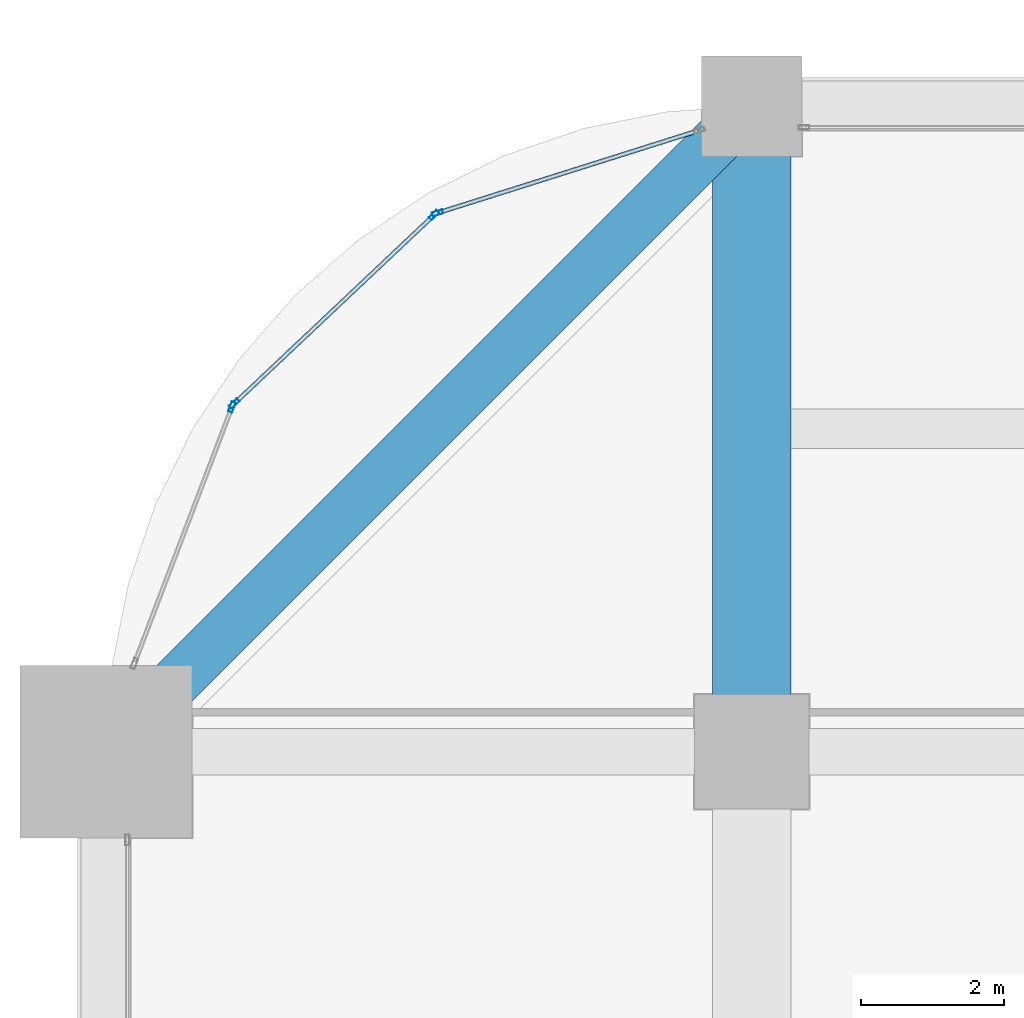
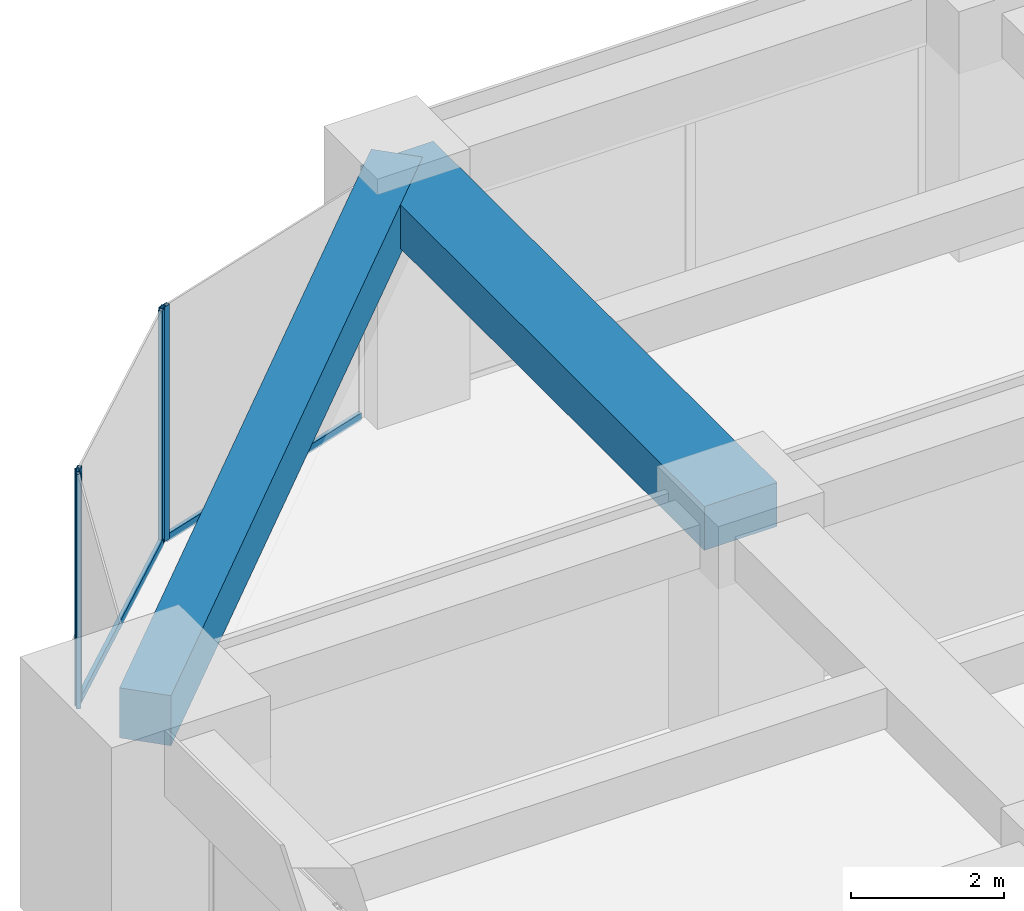
# One storey, part 22 of 33: 6 members, 2 beams, 3 elements without a shape of their own.
"""IFC4 building model written with IfcOpenShell, lengths in metres."""

import ifcopenshell
import ifcopenshell.guid

model = None  # the IFC model being written
_history = None  # IfcOwnerHistory: only IFC2X3 demands one
_inside = {}  # id of a spatial element -> (the spatial element, [elements in it])
_under = {}  # id of a project, library or spatial element -> (it, [spatial elements below it])
_declared = {}  # id of a project -> (the project, [libraries it declares])
_typed = {}  # id of a type object -> (the type object, [elements of that type])
_made_of = {}  # id of a material, layer set ... -> (it, [elements and type objects made of it])


def new_model(schema):
    """Start an empty IFC model of exactly this schema.

    Asked for "IFC4X3", IfcOpenShell would pick the latest addendum, in which some entities
    have other attributes; the version numbers below select the first issue.
    IFC2X3 requires an IfcOwnerHistory on every rooted entity: one is made here for all.
    """
    global model, _history
    if schema == "IFC4X3":
        model = ifcopenshell.file(schema_version=(4, 3, 0, 0))
    else:
        model = ifcopenshell.file(schema=schema)
    _inside.clear()
    _under.clear()
    _declared.clear()
    _typed.clear()
    _made_of.clear()
    _history = None
    if model.schema == "IFC2X3":
        org = make("IfcOrganization", Name="unknown")
        user = make(
            "IfcPersonAndOrganization",
            ThePerson=make("IfcPerson", FamilyName="unknown"),
            TheOrganization=org,
        )
        app = make(
            "IfcApplication",
            ApplicationDeveloper=org,
            Version="unknown",
            ApplicationFullName="unknown",
            ApplicationIdentifier="unknown",
        )
        _history = make(
            "IfcOwnerHistory",
            OwningUser=user,
            OwningApplication=app,
            ChangeAction="ADDED",
            CreationDate=0,
        )
    return model


def make(cls, **values):
    """One entity of the class cls with the attributes given. An attribute that is None is left unset."""
    return model.create_entity(
        cls, **{name: value for name, value in values.items() if value is not None}
    )


def rooted(cls, **values):
    """An entity with a GlobalId (a new one), such as an element, a storey or a relation."""
    return make(cls, GlobalId=ifcopenshell.guid.new(), OwnerHistory=_history, **values)


def si_unit(unit_type, name, prefix=None):
    """IfcSIUnit, for example si_unit("LENGTHUNIT", "METRE", prefix="MILLI")."""
    return make("IfcSIUnit", UnitType=unit_type, Prefix=prefix, Name=name)


def assignment(units):
    """IfcUnitAssignment: the units of a project."""
    return None if units is None else make("IfcUnitAssignment", Units=units)


def point(xyz):
    """IfcCartesianPoint."""
    return None if xyz is None else make("IfcCartesianPoint", Coordinates=xyz)


def direction(xyz):
    """IfcDirection."""
    return None if xyz is None else make("IfcDirection", DirectionRatios=xyz)


def frame(location, z_axis=None, x_axis=None):
    """IfcAxis2Placement3D, a coordinate frame: its origin and axes. An axis left out is left unset."""
    return make(
        "IfcAxis2Placement3D",
        Location=point(location),
        Axis=direction(z_axis),
        RefDirection=direction(x_axis),
    )


def frame_2d(location, x_axis=None):
    """IfcAxis2Placement2D, a coordinate frame in the plane: its origin and x axis."""
    return make(
        "IfcAxis2Placement2D", Location=point(location), RefDirection=direction(x_axis)
    )


def origin():
    """The frame at (0, 0, 0) with its axes left unset."""
    return frame((0.0, 0.0, 0.0))


def origin_2d():
    """The frame at (0, 0) in the plane with its x axis left unset."""
    return frame_2d((0.0, 0.0))


def place(relative_to, where):
    """IfcLocalPlacement: puts the frame where relative to a parent placement (None: the world)."""
    return make(
        "IfcLocalPlacement", PlacementRelTo=relative_to, RelativePlacement=where
    )


def context(
    kind, dimensions, precision=None, world=None, true_north=None, identifier=None
):
    """IfcGeometricRepresentationContext, for example the 3D "Model" context."""
    return make(
        "IfcGeometricRepresentationContext",
        ContextIdentifier=identifier,
        ContextType=kind,
        CoordinateSpaceDimension=dimensions,
        Precision=precision,
        WorldCoordinateSystem=world,
        TrueNorth=true_north,
    )


def subcontext(parent, identifier, kind, view, scale=None):
    """IfcGeometricRepresentationSubContext, for example "Body" below "Model"."""
    return make(
        "IfcGeometricRepresentationSubContext",
        ContextIdentifier=identifier,
        ContextType=kind,
        ParentContext=parent,
        TargetScale=scale,
        TargetView=view,
    )


def project(units=None, contexts=None):
    """IfcProject with its units and contexts."""
    return rooted(
        "IfcProject",
        Name="project",
        RepresentationContexts=contexts,
        UnitsInContext=assignment(units),
    )


def spatial(cls, under=None, at=None, **own):
    """A site, building, storey or space (cls), placed at a placement, below another one or the project."""
    s = rooted(cls, ObjectPlacement=at, **own)
    if under is not None:
        _under.setdefault(under.id(), (under, []))[1].append(s)
    return s


def profile(cls, at=None, kind="AREA", **sizes):
    """A parametric profile (cls). Its sizes go by their IFC names, for example OverallWidth=200.0."""
    return make(cls, ProfileType=kind, Position=at, **sizes)


def rectangle(**sizes):
    """IfcRectangleProfileDef."""
    return profile("IfcRectangleProfileDef", **sizes)


def hollow_rectangle(**sizes):
    """IfcRectangleHollowProfileDef."""
    return profile("IfcRectangleHollowProfileDef", **sizes)


def extrude(swept, where, along, depth):
    """IfcExtrudedAreaSolid: the profile swept, set in the frame where, extruded along a direction by depth."""
    return make(
        "IfcExtrudedAreaSolid",
        SweptArea=swept,
        Position=where,
        ExtrudedDirection=direction(along),
        Depth=depth,
    )


def shape(context_of_items, identifier, shape_type, items):
    """IfcShapeRepresentation: the items that make up one representation, for example the "Body"."""
    return make(
        "IfcShapeRepresentation",
        ContextOfItems=context_of_items,
        RepresentationIdentifier=identifier,
        RepresentationType=shape_type,
        Items=items,
    )


def material(Name=None, Category=None):
    """IfcMaterial."""
    return make("IfcMaterial", Name=Name, Category=Category)


def material_profile(
    of_material, cross_section, Name=None, Category=None, Priority=None
):
    """IfcMaterialProfile: a cross section and its material."""
    return make(
        "IfcMaterialProfile",
        Name=Name,
        Material=of_material,
        Profile=cross_section,
        Priority=Priority,
        Category=Category,
    )


def profile_set(profiles, Name=None, composite=None):
    """IfcMaterialProfileSet."""
    return make(
        "IfcMaterialProfileSet",
        Name=Name,
        MaterialProfiles=profiles,
        CompositeProfile=composite,
    )


def made_of(thing, what):
    """Note that an element or type object is made of a material, layer set ...; save() writes the relation."""
    if what is not None:
        _made_of.setdefault(what.id(), (what, []))[1].append(thing)
    return thing


def type_object(cls, material=None, **own):
    """A type object (cls), such as IfcWallType, which elements share."""
    return made_of(rooted(cls, **own), material)


def element(
    cls,
    number,
    at=None,
    inside=None,
    cuts=None,
    type_object=None,
    material=None,
    context=None,
    identifier="Body",
    shape_type=None,
    held_by="IfcProductDefinitionShape",
    body=None,
    shapes=None,
    **own,
):
    """One element of the class cls, such as IfcWall. Its Tag is "e" and its number.

    at: its placement. inside: the storey or other place that contains it. cuts: it is an
    opening in that element (IfcRelVoidsElement). A single representation is given by context,
    identifier, shape_type and body (its items); several are given by shapes. held_by: the class
    of the entity that holds the representations. save() writes the other relations.
    """
    e = rooted(cls, Tag="e%d" % number, ObjectPlacement=at, **own)
    if body is not None:
        shapes = [shape(context, identifier, shape_type, body)]
    if shapes is not None:
        e.Representation = make(held_by, Representations=shapes)
    if inside is not None:
        _inside.setdefault(inside.id(), (inside, []))[1].append(e)
    if cuts is not None:
        rooted(
            "IfcRelVoidsElement", RelatingBuildingElement=cuts, RelatedOpeningElement=e
        )
    if type_object is not None:
        _typed.setdefault(type_object.id(), (type_object, []))[1].append(e)
    return made_of(e, material)


def aggregate(whole, parts):
    """IfcRelAggregates: a whole, such as a stair, and the parts it consists of."""
    return rooted("IfcRelAggregates", RelatingObject=whole, RelatedObjects=parts)


def save(model, path):
    """Write the relations noted so far, then the file.

    IfcRelAggregates (storeys below a building ...), IfcRelContainedInSpatialStructure (elements
    in a storey), IfcRelDefinesByType, IfcRelAssociatesMaterial and IfcRelDeclares: one each for
    every whole, place, type object, material and project.
    """
    for whole, parts in _under.values():
        aggregate(whole, parts)
    for where, things in _inside.values():
        rooted(
            "IfcRelContainedInSpatialStructure",
            RelatedElements=things,
            RelatingStructure=where,
        )
    for kind, things in _typed.values():
        rooted("IfcRelDefinesByType", RelatedObjects=things, RelatingType=kind)
    for what, things in _made_of.values():
        rooted("IfcRelAssociatesMaterial", RelatedObjects=things, RelatingMaterial=what)
    for by, libraries in _declared.values():
        rooted("IfcRelDeclares", RelatingContext=by, RelatedDefinitions=libraries)
    model.write(path)


model = new_model("IFC4")

# Units and contexts
model_context = context("Model", 3, precision=1e-05, world=origin(), true_north=direction((0.0, 1.0)))
body_context = subcontext(model_context, "Body", "Model", "MODEL_VIEW")
ifc_project = project(units=[si_unit("LENGTHUNIT", "METRE"), si_unit("AREAUNIT", "SQUARE_METRE"), si_unit("VOLUMEUNIT", "CUBIC_METRE"), si_unit("PLANEANGLEUNIT", "RADIAN"), si_unit("MASSUNIT", "GRAM", prefix="KILO")], contexts=[model_context])

# Site, building, storey
site_placement = place(None, origin())
site = spatial("IfcSite", under=ifc_project, at=site_placement, CompositionType="ELEMENT")
building_placement = place(site_placement, origin())
building = spatial("IfcBuilding", under=site, at=building_placement, Name="Zorevar Civic Tower", CompositionType="ELEMENT")
storey_placement = place(building_placement, frame((0.0, 0.0, 178.199951171875)))
storey = spatial("IfcBuildingStorey", under=building, at=storey_placement, Name="L43", CompositionType="ELEMENT", Elevation=178.199951171875)

# Beam
ifc_material_1 = material(Name="Concrete C50/60", Category="concrete")
ifc_material_profile_1 = material_profile(ifc_material_1, rectangle(XDim=1.10009765625, YDim=0.699951171875, at=origin_2d()), Name="RC 1100x700")
ifc_profile_set_1 = profile_set([ifc_material_profile_1], Name="Concrete C50/60")
beam_type_1 = type_object("IfcBeamType", Name="Beam RC 1100x700", PredefinedType="BEAM", material=ifc_profile_set_1)
beam_1_placement = place(storey_placement, frame((9.0, 36.0, 3.400146484375), z_axis=(0.0, 1.0, 0.0), x_axis=(-1.0, 0.0, 0.0)))
element("IfcBeam", 1, at=beam_1_placement, inside=storey, type_object=beam_type_1, Name="Girder L44", PredefinedType="BEAM", context=body_context, shape_type="SweptSolid", body=[
    extrude(rectangle(XDim=1.10009765625, YDim=0.699951171875, at=origin_2d()), origin(), (0.0, 0.0, 1.0), 9.0),
])

# Curtain wall, member
ifc_material_2 = material(Name="Dark grey solar-control glass in black aluminium frame", Category="aluminium")
curtain_wall_type = type_object("IfcCurtainWallType", Name="Curtain wall CW4 high zone", PredefinedType="NOTDEFINED", material=ifc_material_2)
curtain_wall_1_placement = place(storey_placement, origin())
curtain_wall_1 = element("IfcCurtainWall", 2, at=curtain_wall_1_placement, inside=storey, type_object=curtain_wall_type, Name="CW4 L43", PredefinedType="NOTDEFINED")
ifc_material_3 = material(Name="Aluminium, black anodised", Category="aluminium")
ifc_material_profile_2 = material_profile(ifc_material_3, hollow_rectangle(XDim=0.06005859375, YDim=0.14990234375, WallThickness=0.00390625, at=origin_2d()), Name="AL 150x60x4")
ifc_profile_set_2 = profile_set([ifc_material_profile_2], Name="Aluminium, black anodised")
member_type_1 = type_object("IfcMemberType", Name="CW4 mullion AL 150x60x4", PredefinedType="MULLION", material=ifc_profile_set_2)
member_1_placement = place(storey_placement, frame((4.62158203125, 43.51025390625, 0.0), z_axis=(0.0, 0.0, 1.0), x_axis=(0.301108296077, -0.953589950678, 0.0)))
member_1 = element("IfcMember", 3, at=member_1_placement, type_object=member_type_1, Name="CW4 mullion 2", PredefinedType="MULLION", context=body_context, shape_type="SweptSolid", body=[
    extrude(hollow_rectangle(XDim=0.06005859375, YDim=0.14990234375, WallThickness=0.00390625, at=origin_2d()), origin(), (0.0, 0.0, 1.0), 3.75),
])

# Curtain wall, members
curtain_wall_2_placement = place(storey_placement, origin())
curtain_wall_2 = element("IfcCurtainWall", 4, at=curtain_wall_2_placement, inside=storey, type_object=curtain_wall_type, Name="CW4 L43", PredefinedType="NOTDEFINED")
member_2_placement = place(storey_placement, frame((4.5712890625, 43.480712890625, 0.0), z_axis=(0.0, 0.0, 1.0), x_axis=(0.686377907265, -0.727245053898, 0.0)))
member_2 = element("IfcMember", 5, at=member_2_placement, type_object=member_type_1, Name="CW4 mullion 1", PredefinedType="MULLION", context=body_context, shape_type="SweptSolid", body=[
    extrude(hollow_rectangle(XDim=0.06005859375, YDim=0.14990234375, WallThickness=0.00390625, at=origin_2d()), origin(), (0.0, 0.0, 1.0), 3.75),
])
member_3_placement = place(storey_placement, frame((1.787841796875, 40.853759765625, 0.0), z_axis=(0.0, 0.0, 1.0), x_axis=(0.686377907265, -0.727245053898, 0.0)))
member_3 = element("IfcMember", 6, at=member_3_placement, type_object=member_type_1, Name="CW4 mullion 2", PredefinedType="MULLION", context=body_context, shape_type="SweptSolid", body=[
    extrude(hollow_rectangle(XDim=0.06005859375, YDim=0.14990234375, WallThickness=0.00390625, at=origin_2d()), origin(), (0.0, 0.0, 1.0), 3.75),
])

# Curtain wall, member
curtain_wall_3_placement = place(storey_placement, origin())
curtain_wall_3 = element("IfcCurtainWall", 7, at=curtain_wall_3_placement, inside=storey, type_object=curtain_wall_type, Name="CW4 L43", PredefinedType="NOTDEFINED")
member_4_placement = place(storey_placement, frame((1.75537109375, 40.804931640625, 0.0), z_axis=(0.0, 0.0, 1.0), x_axis=(0.93458842801, -0.355730895803, 0.0)))
member_4 = element("IfcMember", 8, at=member_4_placement, type_object=member_type_1, Name="CW4 mullion 1", PredefinedType="MULLION", context=body_context, shape_type="SweptSolid", body=[
    extrude(hollow_rectangle(XDim=0.06005859375, YDim=0.14990234375, WallThickness=0.00390625, at=origin_2d()), origin(), (0.0, 0.0, 1.0), 3.75),
])
aggregate(curtain_wall_3, [member_4])

# Member
ifc_material_4 = material(Name="Aluminium, black anodised", Category="aluminium")
ifc_material_profile_3 = material_profile(ifc_material_4, hollow_rectangle(XDim=0.06005859375, YDim=0.1201171875, WallThickness=0.0029296875, at=origin_2d()), Name="AL 120x60x3")
ifc_profile_set_3 = profile_set([ifc_material_profile_3], Name="Aluminium, black anodised")
member_type_2 = type_object("IfcMemberType", Name="CW4 transom AL 120x60x3", PredefinedType="USERDEFINED", material=ifc_profile_set_3)
member_5_placement = place(storey_placement, frame((8.24267578125, 44.653564453125, 0.030029296875), z_axis=(-0.953592459367, -0.301100351109, 0.0), x_axis=(0.301100351109, -0.953592459367, 0.0)))
member_5 = element("IfcMember", 9, at=member_5_placement, type_object=member_type_2, Name="CW4 sill transom", ObjectType="TRANSOM", PredefinedType="USERDEFINED", context=body_context, shape_type="SweptSolid", body=[
    extrude(hollow_rectangle(XDim=0.06005859375, YDim=0.1201171875, WallThickness=0.0029296875, at=origin_2d()), origin(), (0.0, 0.0, 1.0), 3.76708984375),
])

aggregate(curtain_wall_1, [member_1, member_5])

member_6_placement = place(storey_placement, frame((4.549560546875, 43.4599609375, 0.030029296875), z_axis=(-0.727288059227, -0.686332338526, 0.0), x_axis=(0.686332338526, -0.727288059227, 0.0)))
member_6 = element("IfcMember", 10, at=member_6_placement, type_object=member_type_2, Name="CW4 sill transom", ObjectType="TRANSOM", PredefinedType="USERDEFINED", context=body_context, shape_type="SweptSolid", body=[
    extrude(hollow_rectangle(XDim=0.06005859375, YDim=0.1201171875, WallThickness=0.0029296875, at=origin_2d()), origin(), (0.0, 0.0, 1.0), 3.767333984375),
])

aggregate(curtain_wall_2, [member_2, member_3, member_6])

# Beam
ifc_material_5 = material(Name="Concrete C50/60", Category="concrete")
ifc_material_profile_4 = material_profile(ifc_material_5, rectangle(XDim=0.699951171875, YDim=0.800048828125, at=origin_2d()), Name="RC 700x800")
ifc_profile_set_4 = profile_set([ifc_material_profile_4], Name="Concrete C50/60")
beam_type_2 = type_object("IfcBeamType", Name="Edge beam RC 700x800", PredefinedType="SPANDREL", material=ifc_profile_set_4)
beam_2_placement = place(storey_placement, frame((9.0, 45.0, 3.35009765625), z_axis=(-0.707106781187, -0.707106781187, 0.0), x_axis=(0.707106781187, -0.707106781187, 0.0)))
element("IfcBeam", 11, at=beam_2_placement, inside=storey, type_object=beam_type_2, Name="Corner edge beam L44", PredefinedType="SPANDREL", context=body_context, shape_type="SweptSolid", body=[
    extrude(rectangle(XDim=0.699951171875, YDim=0.800048828125, at=origin_2d()), origin(), (0.0, 0.0, 1.0), 12.72802734375),
])

save(model, "model.ifc")
